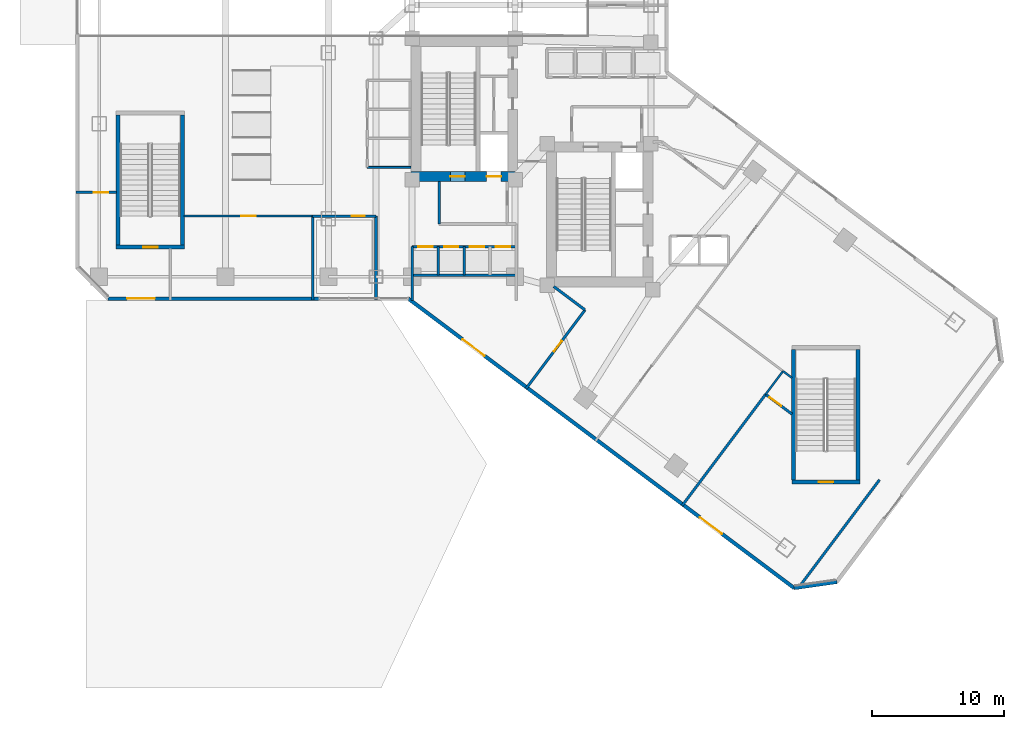
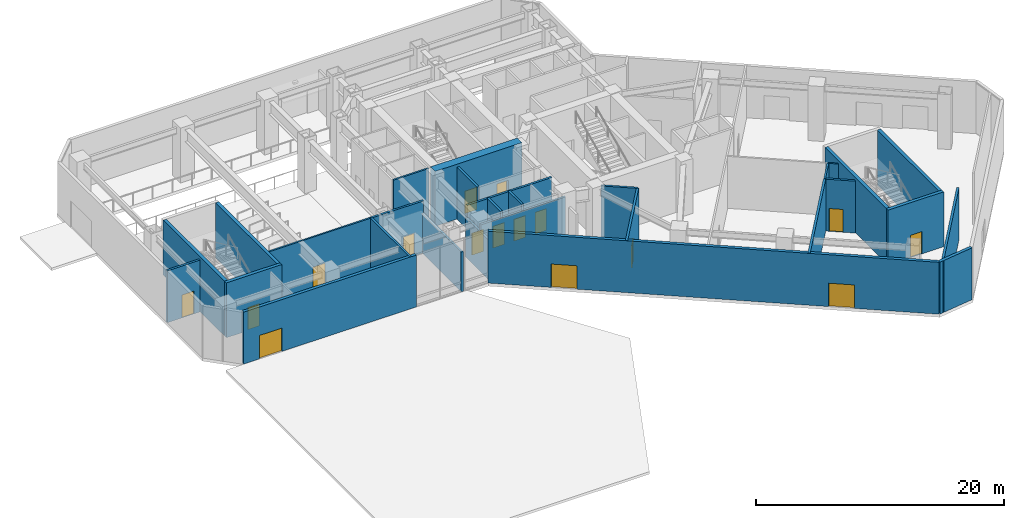
# One storey, part 4 of 13: 29 walls, 16 doors, 16 openings.
"""IFC4 building model written with IfcOpenShell, lengths in metres."""

from ifc_helpers import new_model, si_unit, direction, frame, frame_2d, origin, place, context, subcontext, project, spatial, rectangle, extrude, material, layer, layer_set, type_object, element, fill, save


model = new_model("IFC4")

# Units and contexts
model_context = context("Model", 3, precision=1e-05, world=origin(), true_north=direction((0.0, 1.0)))
body_context = subcontext(model_context, "Body", "Model", "MODEL_VIEW")
ifc_project = project(units=[si_unit("LENGTHUNIT", "METRE"), si_unit("AREAUNIT", "SQUARE_METRE"), si_unit("VOLUMEUNIT", "CUBIC_METRE"), si_unit("PLANEANGLEUNIT", "RADIAN"), si_unit("MASSUNIT", "GRAM", prefix="KILO")], contexts=[model_context])

# Site, building, storey
site_placement = place(None, origin())
site = spatial("IfcSite", under=ifc_project, at=site_placement, CompositionType="ELEMENT")
building_placement = place(site_placement, origin())
building = spatial("IfcBuilding", under=site, at=building_placement, Name="Hatsunagi Terrace Concourse", CompositionType="ELEMENT")
storey_placement = place(building_placement, origin())
storey = spatial("IfcBuildingStorey", under=building, at=storey_placement, Name="L01", CompositionType="ELEMENT", Elevation=0.0)

# Wall, openings, doors
ifc_material_1 = material(Name="Concrete Fc60", Category="concrete")
ifc_layer_1 = layer(ifc_material_1, 0.75)
ifc_layer_set_1 = layer_set([ifc_layer_1], Name="CoreShearWall_Fc60_750")
wall_type_1 = type_object("IfcWallType", Name="CoreShearWall_Fc60_750", PredefinedType="SHEAR", material=ifc_layer_set_1)
wall_1_placement = place(storey_placement, frame((25.469970703125, 32.81494140625, 0.0), z_axis=(0.0, 0.0, 1.0), x_axis=(1.0, 0.0, 0.0)))
wall_1 = element("IfcWall", 1, at=wall_1_placement, inside=storey, type_object=wall_type_1, Name="Core A Shear Wall S L01", PredefinedType="SHEAR", context=body_context, shape_type="SweptSolid", body=[
    extrude(rectangle(XDim=8.080078125, YDim=0.75, at=frame_2d((4.0400390625, 0.0))), origin(), (0.0, 0.0, 1.0), 5.39990234375),
])
opening_1_placement = place(wall_1_placement, frame((2.97998046875, 0.0, 0.0)))
opening_1 = element("IfcOpeningElement", 2, at=opening_1_placement, cuts=wall_1, Name="Opening DR-110S", PredefinedType="OPENING", context=body_context, shape_type="SweptSolid", body=[
    extrude(rectangle(XDim=1.10009765625, YDim=2.199951171875, at=frame_2d((0.550048828125, 1.10009765625))), frame((0.0, 0.385009765625, 0.0), z_axis=(0.0, -1.0, 0.0), x_axis=(1.0, 0.0, 0.0)), (0.0, 0.0, 1.0), 0.77001953125),
])
opening_2_placement = place(wall_1_placement, frame((5.72998046875, 0.0, 0.0)))
opening_2 = element("IfcOpeningElement", 3, at=opening_2_placement, cuts=wall_1, Name="Opening LD-01", PredefinedType="OPENING", context=body_context, shape_type="SweptSolid", body=[
    extrude(rectangle(XDim=1.10009765625, YDim=2.14990234375, at=frame_2d((0.550048828125, 1.074951171875))), frame((0.0, 0.385009765625, 0.0), z_axis=(0.0, -1.0, 0.0), x_axis=(1.0, 0.0, 0.0)), (0.0, 0.0, 1.0), 0.77001953125),
])
ifc_material_2 = material(Name="Stainless steel", Category="steel")
door_type_1 = type_object("IfcDoorType", Name="LiftLandingDoor_LD01", OperationType="SLIDING_TO_LEFT", PredefinedType="USERDEFINED", material=ifc_material_2)
door_1_placement = place(opening_2_placement, origin())
door_1 = element("IfcDoor", 4, at=door_1_placement, inside=storey, type_object=door_type_1, Name="Lift landing door FF-01 L01", ObjectType="SLIDING_LANDING_DOOR", OperationType="SLIDING_TO_LEFT", OverallHeight=2.14990234375, OverallWidth=1.10009765625, PredefinedType="USERDEFINED", context=body_context, shape_type="SweptSolid", body=[
    extrude(rectangle(XDim=1.10009765625, YDim=2.14990234375, at=frame_2d((0.550048828125, 1.074951171875))), frame((0.0, 0.02490234375, 0.0), z_axis=(0.0, -1.0, 0.0), x_axis=(1.0, 0.0, 0.0)), (0.0, 0.0, 1.0), 0.050048828125),
])
fill(opening_2, door_1)
ifc_material_3 = material(Name="Painted steel", Category="steel")
door_type_2 = type_object("IfcDoorType", Name="StairFireDoor_EI60_1100", OperationType="NOTDEFINED", PredefinedType="DOOR", material=ifc_material_3)
door_2_placement = place(opening_1_placement, origin())
door_2 = element("IfcDoor", 5, at=door_2_placement, inside=storey, type_object=door_type_2, Name="Stair ST-A Exit Door L01", OperationType="SINGLE_SWING_LEFT", OverallHeight=2.199951171875, OverallWidth=1.10009765625, PredefinedType="DOOR", context=body_context, shape_type="SweptSolid", body=[
    extrude(rectangle(XDim=1.10009765625, YDim=2.199951171875, at=frame_2d((0.550048828125, 1.10009765625))), frame((0.0, 0.02490234375, 0.0), z_axis=(0.0, -1.0, 0.0), x_axis=(1.0, 0.0, 0.0)), (0.0, 0.0, 1.0), 0.050048828125),
])
fill(opening_1, door_2)

# Wall, opening, door
ifc_material_4 = material(Name="Concrete Fc48", Category="concrete")
ifc_layer_2 = layer(ifc_material_4, 0.300048828125)
ifc_layer_set_2 = layer_set([ifc_layer_2], Name="CoreStairDivider_Fc48_300")
wall_type_2 = type_object("IfcWallType", Name="CoreStairDivider_Fc48_300", PredefinedType="SHEAR", material=ifc_layer_set_2)
wall_2_placement = place(storey_placement, frame((3.090087890625, 27.43994140625, 0.0), z_axis=(0.0, 0.0, 1.0), x_axis=(1.0, 0.0, 0.0)))
wall_2 = element("IfcWall", 6, at=wall_2_placement, inside=storey, type_object=wall_type_2, Name="Podium Stair P1 Shear Wall S L01", PredefinedType="SHEAR", context=body_context, shape_type="SweptSolid", body=[
    extrude(rectangle(XDim=5.169921875, YDim=0.300048828125, at=frame_2d((2.5849609375, 0.0))), origin(), (0.0, 0.0, 1.0), 5.39990234375),
])
opening_3_placement = place(wall_2_placement, frame((2.06005859375, 0.0, 0.0)))
opening_3 = element("IfcOpeningElement", 7, at=opening_3_placement, cuts=wall_2, Name="Opening DR-110S", PredefinedType="OPENING", context=body_context, shape_type="SweptSolid", body=[
    extrude(rectangle(XDim=1.10009765625, YDim=2.199951171875, at=frame_2d((0.550048828125, 1.10009765625))), frame((0.0, 0.159912109375, 0.0), z_axis=(0.0, -1.0, 0.0), x_axis=(1.0, 0.0, 0.0)), (0.0, 0.0, 1.0), 0.320068359375),
])
door_3_placement = place(opening_3_placement, origin())
door_3 = element("IfcDoor", 8, at=door_3_placement, inside=storey, type_object=door_type_2, Name="Stair ST-P1 Exit Door L01", OperationType="SINGLE_SWING_LEFT", OverallHeight=2.199951171875, OverallWidth=1.10009765625, PredefinedType="DOOR", context=body_context, shape_type="SweptSolid", body=[
    extrude(rectangle(XDim=1.10009765625, YDim=2.199951171875, at=frame_2d((0.550048828125, 1.10009765625))), frame((0.0, 0.02490234375, 0.0), z_axis=(0.0, -1.0, 0.0), x_axis=(1.0, 0.0, 0.0)), (0.0, 0.0, 1.0), 0.050048828125),
])
fill(opening_3, door_3)

# Walls
for number, where, z_axis, x_axis, name in (
    (9, (3.239990234375, 27.590087890625, 0.0), (0.0, 0.0, 1.0), (0.0, 1.0, 0.0), "Podium Stair P1 Shear Wall W L01"),
    (10, (8.110107421875, 27.590087890625, 0.0), (0.0, 0.0, 1.0), (0.0, 1.0, 0.0), "Podium Stair P1 Shear Wall E L01"),
):
    element("IfcWall", number, at=place(storey_placement, frame(where, z_axis=z_axis, x_axis=x_axis)), inside=storey, type_object=wall_type_2, Name=name, PredefinedType="SHEAR", context=body_context, shape_type="SweptSolid", body=[
        extrude(rectangle(XDim=9.8798828125, YDim=0.300048828125, at=frame_2d((4.93994140625, 0.0))), origin(), (0.0, 0.0, 1.0), 5.39990234375),
    ])

# Wall, opening, door
wall_3_placement = place(storey_placement, frame((54.340087890625, 9.639892578125, 0.0), z_axis=(0.0, 0.0, 1.0), x_axis=(1.0, 0.0, 0.0)))
wall_3 = element("IfcWall", 11, at=wall_3_placement, inside=storey, type_object=wall_type_2, Name="Podium Stair P2 Shear Wall S L01", PredefinedType="SHEAR", context=body_context, shape_type="SweptSolid", body=[
    extrude(rectangle(XDim=5.169921875, YDim=0.300048828125, at=frame_2d((2.5849609375, 0.0))), origin(), (0.0, 0.0, 1.0), 5.39990234375),
])
opening_4_placement = place(wall_3_placement, frame((2.06005859375, 0.0, 0.0)))
opening_4 = element("IfcOpeningElement", 12, at=opening_4_placement, cuts=wall_3, Name="Opening DR-110S", PredefinedType="OPENING", context=body_context, shape_type="SweptSolid", body=[
    extrude(rectangle(XDim=1.10009765625, YDim=2.199951171875, at=frame_2d((0.550048828125, 1.10009765625))), frame((0.0, 0.159912109375, 0.0), z_axis=(0.0, -1.0, 0.0), x_axis=(1.0, 0.0, 0.0)), (0.0, 0.0, 1.0), 0.320068359375),
])
door_4_placement = place(opening_4_placement, origin())
door_4 = element("IfcDoor", 13, at=door_4_placement, inside=storey, type_object=door_type_2, Name="Stair ST-P2 Exit Door L01", OperationType="SINGLE_SWING_RIGHT", OverallHeight=2.199951171875, OverallWidth=1.10009765625, PredefinedType="DOOR", context=body_context, shape_type="SweptSolid", body=[
    extrude(rectangle(XDim=1.10009765625, YDim=2.199951171875, at=frame_2d((0.550048828125, 1.10009765625))), frame((0.0, 0.02490234375, 0.0), z_axis=(0.0, -1.0, 0.0), x_axis=(1.0, 0.0, 0.0)), (0.0, 0.0, 1.0), 0.050048828125),
])
fill(opening_4, door_4)

# Walls
for number, where, z_axis, x_axis, name in (
    (14, (54.489990234375, 9.7900390625, 0.0), (0.0, 0.0, 1.0), (0.0, 1.0, 0.0), "Podium Stair P2 Shear Wall W L01"),
    (15, (59.360107421875, 9.7900390625, 0.0), (0.0, 0.0, 1.0), (0.0, 1.0, 0.0), "Podium Stair P2 Shear Wall E L01"),
):
    element("IfcWall", number, at=place(storey_placement, frame(where, z_axis=z_axis, x_axis=x_axis)), inside=storey, type_object=wall_type_2, Name=name, PredefinedType="SHEAR", context=body_context, shape_type="SweptSolid", body=[
        extrude(rectangle(XDim=9.8798828125, YDim=0.300048828125, at=frame_2d((4.93994140625, 0.0))), origin(), (0.0, 0.0, 1.0), 5.39990234375),
    ])
ifc_material_5 = material(Name="Acoustic mineral board", Category="gypsum")
ifc_layer_3 = layer(ifc_material_5, 0.14990234375)
ifc_layer_set_3 = layer_set([ifc_layer_3], Name="PartitionWall_EI60_150")
wall_type_3 = type_object("IfcWallType", Name="PartitionWall_EI60_150", PredefinedType="PARTITIONING", material=ifc_layer_set_3)
wall_4_placement = place(storey_placement, frame((22.14990234375, 33.5, 0.0), z_axis=(0.0, 0.0, 1.0), x_axis=(1.0, 0.0, 0.0)))
element("IfcWall", 16, at=wall_4_placement, inside=storey, type_object=wall_type_3, Name="Interior Partition IW-L01-030", PredefinedType="PARTITIONING", context=body_context, shape_type="SweptSolid", body=[
    extrude(rectangle(XDim=3.300048828125, YDim=0.14990234375, at=frame_2d((1.64990234375, 0.0))), origin(), (0.0, 0.0, 1.0), 5.10009765625),
])

# Wall, opening, door
wall_5_placement = place(storey_placement, frame((8.239990234375, 29.800048828125, 0.0), z_axis=(0.0, 0.0, 1.0), x_axis=(1.0, 0.0, 0.0)))
wall_5 = element("IfcWall", 17, at=wall_5_placement, inside=storey, type_object=wall_type_3, Name="Interior Partition IW-L01-041", PredefinedType="PARTITIONING", context=body_context, shape_type="SweptSolid", body=[
    extrude(rectangle(XDim=9.760009765625, YDim=0.14990234375, at=frame_2d((4.8798828125, 0.0))), origin(), (0.0, 0.0, 1.0), 5.10009765625),
])
opening_5_placement = place(wall_5_placement, frame((4.330078125, 0.0, 0.0)))
opening_5 = element("IfcOpeningElement", 18, at=opening_5_placement, cuts=wall_5, Name="Opening DR-110W", PredefinedType="OPENING", context=body_context, shape_type="SweptSolid", body=[
    extrude(rectangle(XDim=1.10009765625, YDim=2.159912109375, at=frame_2d((0.550048828125, 1.080078125))), frame((0.0, 0.0849609375, 0.0), z_axis=(0.0, -1.0, 0.0), x_axis=(1.0, 0.0, 0.0)), (0.0, 0.0, 1.0), 0.169921875),
])
ifc_material_6 = material(Name="Hardwood timber", Category="wood")
door_type_3 = type_object("IfcDoorType", Name="SuiteWideDoor_EI30_1100", OperationType="NOTDEFINED", PredefinedType="DOOR", material=ifc_material_6)
door_5_placement = place(opening_5_placement, origin())
door_5 = element("IfcDoor", 19, at=door_5_placement, inside=storey, type_object=door_type_3, Name="Retail Gallery L01-RET1 Door", OperationType="SINGLE_SWING_LEFT", OverallHeight=2.159912109375, OverallWidth=1.10009765625, PredefinedType="DOOR", context=body_context, shape_type="SweptSolid", body=[
    extrude(rectangle(XDim=1.10009765625, YDim=2.159912109375, at=frame_2d((0.550048828125, 1.080078125))), frame((0.0, 0.02490234375, 0.0), z_axis=(0.0, -1.0, 0.0), x_axis=(1.0, 0.0, 0.0)), (0.0, 0.0, 1.0), 0.050048828125),
])
fill(opening_5, door_5)

# Walls
wall_6_placement = place(storey_placement, frame((52.360107421875, 16.280029296875, 0.0), z_axis=(0.0, 0.0, 1.0), x_axis=(0.59994672926, 0.800039950284, 0.0)))
element("IfcWall", 20, at=wall_6_placement, inside=storey, type_object=wall_type_3, Name="Interior Partition IW-L01-058", PredefinedType="PARTITIONING", context=body_context, shape_type="SweptSolid", body=[
    extrude(rectangle(XDim=2.199951171875, YDim=0.14990234375, at=frame_2d((1.10009765625, 0.0))), origin(), (0.0, 0.0, 1.0), 5.10009765625),
])
wall_7_placement = place(storey_placement, frame((53.679931640625, 18.0400390625, 0.0), z_axis=(0.0, 0.0, 1.0), x_axis=(0.800068916667, -0.599908100114, 0.0)))
element("IfcWall", 21, at=wall_7_placement, inside=storey, type_object=wall_type_3, Name="Interior Partition IW-L01-059", PredefinedType="PARTITIONING", context=body_context, shape_type="SweptSolid", body=[
    extrude(rectangle(XDim=0.85009765625, YDim=0.14990234375, at=frame_2d((0.425048828125, 0.0))), origin(), (0.0, 0.0, 1.0), 5.10009765625),
])
ifc_material_7 = material(Name="Acoustic mineral board", Category="gypsum")
ifc_layer_4 = layer(ifc_material_7, 0.199951171875)
ifc_layer_set_4 = layer_set([ifc_layer_4], Name="ShaftWall_EI120_200")
wall_type_4 = type_object("IfcWallType", Name="ShaftWall_EI120_200", PredefinedType="STANDARD", material=ifc_layer_set_4)
wall_8_placement = place(storey_placement, frame((27.60009765625, 29.199951171875, 0.0), z_axis=(0.0, 0.0, 1.0), x_axis=(0.0, 1.0, 0.0)))
element("IfcWall", 22, at=wall_8_placement, inside=storey, type_object=wall_type_4, Name="Interior Partition IW-L01-007", PredefinedType="STANDARD", context=body_context, shape_type="SweptSolid", body=[
    extrude(rectangle(XDim=3.239990234375, YDim=0.199951171875, at=frame_2d((1.6201171875, 0.0))), origin(), (0.0, 0.0, 1.0), 5.10009765625),
])
wall_9_placement = place(storey_placement, frame((25.550048828125, 23.39990234375, 0.0), z_axis=(0.0, 0.0, 1.0), x_axis=(0.0, 1.0, 0.0)))
element("IfcWall", 23, at=wall_9_placement, inside=storey, type_object=wall_type_4, Name="Interior Partition IW-L01-012", PredefinedType="STANDARD", context=body_context, shape_type="SweptSolid", body=[
    extrude(rectangle(XDim=4.080078125, YDim=0.199951171875, at=frame_2d((2.0400390625, 0.0))), origin(), (0.0, 0.0, 1.0), 3.89501953125),
])
wall_10_placement = place(storey_placement, frame((25.550048828125, 25.320068359375, 0.0), z_axis=(0.0, 0.0, 1.0), x_axis=(1.0, 0.0, 0.0)))
element("IfcWall", 24, at=wall_10_placement, inside=storey, type_object=wall_type_4, Name="Interior Partition IW-L01-014", PredefinedType="STANDARD", context=body_context, shape_type="SweptSolid", body=[
    extrude(rectangle(XDim=7.8798828125, YDim=0.199951171875, at=frame_2d((3.93994140625, 0.0))), origin(), (0.0, 0.0, 1.0), 4.4951171875),
])
for number, where, z_axis, x_axis, name in (
    (25, (27.530029296875, 25.320068359375, 0.0), (0.0, 0.0, 1.0), (0.0, 1.0, 0.0), "Interior Partition IW-L01-015"),
    (26, (29.489990234375, 25.320068359375, 0.0), (0.0, 0.0, 1.0), (0.0, 1.0, 0.0), "Interior Partition IW-L01-016"),
):
    element("IfcWall", number, at=place(storey_placement, frame(where, z_axis=z_axis, x_axis=x_axis)), inside=storey, type_object=wall_type_4, Name=name, PredefinedType="STANDARD", context=body_context, shape_type="SweptSolid", body=[
        extrude(rectangle(XDim=2.159912109375, YDim=0.199951171875, at=frame_2d((1.080078125, 0.0))), origin(), (0.0, 0.0, 1.0), 5.10009765625),
    ])

# Wall, openings, doors
wall_11_placement = place(storey_placement, frame((25.550048828125, 27.47998046875, 0.0), z_axis=(0.0, 0.0, 1.0), x_axis=(1.0, 0.0, 0.0)))
wall_11 = element("IfcWall", 27, at=wall_11_placement, inside=storey, type_object=wall_type_4, Name="Interior Partition IW-L01-018", PredefinedType="STANDARD", context=body_context, shape_type="SweptSolid", body=[
    extrude(rectangle(XDim=7.8798828125, YDim=0.199951171875, at=frame_2d((3.93994140625, 0.0))), origin(), (0.0, 0.0, 1.0), 5.10009765625),
])
opening_6_placement = place(wall_11_placement, frame((0.4599609375, 0.0, 0.0)))
opening_6 = element("IfcOpeningElement", 28, at=opening_6_placement, cuts=wall_11, Name="Opening LD-03", PredefinedType="OPENING", context=body_context, shape_type="SweptSolid", body=[
    extrude(rectangle(XDim=1.080078125, YDim=2.14990234375, at=frame_2d((0.5400390625, 1.074951171875))), frame((0.0, 0.10986328125, 0.0), z_axis=(0.0, -1.0, 0.0), x_axis=(1.0, 0.0, 0.0)), (0.0, 0.0, 1.0), 0.219970703125),
])
opening_7_placement = place(wall_11_placement, frame((2.419921875, 0.0, 0.0)))
opening_7 = element("IfcOpeningElement", 29, at=opening_7_placement, cuts=wall_11, Name="Opening LD-03", PredefinedType="OPENING", context=body_context, shape_type="SweptSolid", body=[
    extrude(rectangle(XDim=1.080078125, YDim=2.14990234375, at=frame_2d((0.5400390625, 1.074951171875))), frame((0.0, 0.10986328125, 0.0), z_axis=(0.0, -1.0, 0.0), x_axis=(1.0, 0.0, 0.0)), (0.0, 0.0, 1.0), 0.219970703125),
])
opening_8_placement = place(wall_11_placement, frame((4.3798828125, 0.0, 0.0)))
opening_8 = element("IfcOpeningElement", 30, at=opening_8_placement, cuts=wall_11, Name="Opening LD-03", PredefinedType="OPENING", context=body_context, shape_type="SweptSolid", body=[
    extrude(rectangle(XDim=1.080078125, YDim=2.14990234375, at=frame_2d((0.5400390625, 1.074951171875))), frame((0.0, 0.10986328125, 0.0), z_axis=(0.0, -1.0, 0.0), x_axis=(1.0, 0.0, 0.0)), (0.0, 0.0, 1.0), 0.219970703125),
])
opening_9_placement = place(wall_11_placement, frame((6.340087890625, 0.0, 0.0)))
opening_9 = element("IfcOpeningElement", 31, at=opening_9_placement, cuts=wall_11, Name="Opening LD-03", PredefinedType="OPENING", context=body_context, shape_type="SweptSolid", body=[
    extrude(rectangle(XDim=1.080078125, YDim=2.14990234375, at=frame_2d((0.5400390625, 1.074951171875))), frame((0.0, 0.10986328125, 0.0), z_axis=(0.0, -1.0, 0.0), x_axis=(1.0, 0.0, 0.0)), (0.0, 0.0, 1.0), 0.219970703125),
])
ifc_material_8 = material(Name="Stainless steel", Category="steel")
door_type_4 = type_object("IfcDoorType", Name="LiftLandingDoor_LD03", OperationType="SLIDING_TO_LEFT", PredefinedType="USERDEFINED", material=ifc_material_8)
door_6_placement = place(opening_6_placement, origin())
door_6 = element("IfcDoor", 32, at=door_6_placement, inside=storey, type_object=door_type_4, Name="Lift landing door PL-01 L01", ObjectType="SLIDING_LANDING_DOOR", OperationType="SLIDING_TO_LEFT", OverallHeight=2.14990234375, OverallWidth=1.080078125, PredefinedType="USERDEFINED", context=body_context, shape_type="SweptSolid", body=[
    extrude(rectangle(XDim=1.080078125, YDim=2.14990234375, at=frame_2d((0.5400390625, 1.074951171875))), frame((0.0, 0.02490234375, 0.0), z_axis=(0.0, -1.0, 0.0), x_axis=(1.0, 0.0, 0.0)), (0.0, 0.0, 1.0), 0.050048828125),
])
fill(opening_6, door_6)
door_7_placement = place(opening_7_placement, origin())
door_7 = element("IfcDoor", 33, at=door_7_placement, inside=storey, type_object=door_type_4, Name="Lift landing door PL-02 L01", ObjectType="SLIDING_LANDING_DOOR", OperationType="SLIDING_TO_LEFT", OverallHeight=2.14990234375, OverallWidth=1.080078125, PredefinedType="USERDEFINED", context=body_context, shape_type="SweptSolid", body=[
    extrude(rectangle(XDim=1.080078125, YDim=2.14990234375, at=frame_2d((0.5400390625, 1.074951171875))), frame((0.0, 0.02490234375, 0.0), z_axis=(0.0, -1.0, 0.0), x_axis=(1.0, 0.0, 0.0)), (0.0, 0.0, 1.0), 0.050048828125),
])
fill(opening_7, door_7)
door_8_placement = place(opening_8_placement, origin())
door_8 = element("IfcDoor", 34, at=door_8_placement, inside=storey, type_object=door_type_4, Name="Lift landing door PL-03 L01", ObjectType="SLIDING_LANDING_DOOR", OperationType="SLIDING_TO_LEFT", OverallHeight=2.14990234375, OverallWidth=1.080078125, PredefinedType="USERDEFINED", context=body_context, shape_type="SweptSolid", body=[
    extrude(rectangle(XDim=1.080078125, YDim=2.14990234375, at=frame_2d((0.5400390625, 1.074951171875))), frame((0.0, 0.02490234375, 0.0), z_axis=(0.0, -1.0, 0.0), x_axis=(1.0, 0.0, 0.0)), (0.0, 0.0, 1.0), 0.050048828125),
])
fill(opening_8, door_8)
door_9_placement = place(opening_9_placement, origin())
door_9 = element("IfcDoor", 35, at=door_9_placement, inside=storey, type_object=door_type_4, Name="Lift landing door PL-04 L01", ObjectType="SLIDING_LANDING_DOOR", OperationType="SLIDING_TO_LEFT", OverallHeight=2.14990234375, OverallWidth=1.080078125, PredefinedType="USERDEFINED", context=body_context, shape_type="SweptSolid", body=[
    extrude(rectangle(XDim=1.080078125, YDim=2.14990234375, at=frame_2d((0.5400390625, 1.074951171875))), frame((0.0, 0.02490234375, 0.0), z_axis=(0.0, -1.0, 0.0), x_axis=(1.0, 0.0, 0.0)), (0.0, 0.0, 1.0), 0.050048828125),
])
fill(opening_9, door_9)

# Wall, opening, door
wall_12_placement = place(storey_placement, frame((18.0, 29.800048828125, 0.0), z_axis=(0.0, 0.0, 1.0), x_axis=(1.0, 0.0, 0.0)))
wall_12 = element("IfcWall", 36, at=wall_12_placement, inside=storey, type_object=wall_type_4, Name="Interior Partition IW-L01-038", PredefinedType="STANDARD", context=body_context, shape_type="SweptSolid", body=[
    extrude(rectangle(XDim=4.800048828125, YDim=0.199951171875, at=frame_2d((2.39990234375, 0.0))), origin(), (0.0, 0.0, 1.0), 5.10009765625),
])
opening_10_placement = place(wall_12_placement, frame((2.964111328125, 0.0, 0.0)))
opening_10 = element("IfcOpeningElement", 37, at=opening_10_placement, cuts=wall_12, Name="Opening DR-100F", PredefinedType="OPENING", context=body_context, shape_type="SweptSolid", body=[
    extrude(rectangle(XDim=1.0, YDim=2.199951171875, at=frame_2d((0.5, 1.10009765625))), frame((0.0, 0.10986328125, 0.0), z_axis=(0.0, -1.0, 0.0), x_axis=(1.0, 0.0, 0.0)), (0.0, 0.0, 1.0), 0.219970703125),
])
ifc_material_9 = material(Name="Painted steel", Category="steel")
door_type_5 = type_object("IfcDoorType", Name="FireDoor_EI60_1000", OperationType="NOTDEFINED", PredefinedType="DOOR", material=ifc_material_9)
door_10_placement = place(opening_10_placement, origin())
door_10 = element("IfcDoor", 38, at=door_10_placement, inside=storey, type_object=door_type_5, Name="Bosai Fire Command Room L01-BOSAI Door", OperationType="SINGLE_SWING_LEFT", OverallHeight=2.199951171875, OverallWidth=1.0, PredefinedType="DOOR", context=body_context, shape_type="SweptSolid", body=[
    extrude(rectangle(XDim=1.0, YDim=2.199951171875, at=frame_2d((0.5, 1.10009765625))), frame((0.0, 0.02490234375, 0.0), z_axis=(0.0, -1.0, 0.0), x_axis=(1.0, 0.0, 0.0)), (0.0, 0.0, 1.0), 0.050048828125),
])
fill(opening_10, door_10)

# Walls
wall_13_placement = place(storey_placement, frame((18.0, 23.43994140625, 0.0), z_axis=(0.0, 0.0, 1.0), x_axis=(0.0, 1.0, 0.0)))
element("IfcWall", 39, at=wall_13_placement, inside=storey, type_object=wall_type_4, Name="Interior Partition IW-L01-039", PredefinedType="STANDARD", context=body_context, shape_type="SweptSolid", body=[
    extrude(rectangle(XDim=6.360107421875, YDim=0.199951171875, at=frame_2d((3.18017578125, 0.0))), origin(), (0.0, 0.0, 1.0), 5.10009765625),
])
wall_14_placement = place(storey_placement, frame((22.800048828125, 23.43994140625, 0.0), z_axis=(0.0, 0.0, 1.0), x_axis=(0.0, 1.0, 0.0)))
element("IfcWall", 40, at=wall_14_placement, inside=storey, type_object=wall_type_4, Name="Interior Partition IW-L01-040", PredefinedType="STANDARD", context=body_context, shape_type="SweptSolid", body=[
    extrude(rectangle(XDim=6.360107421875, YDim=0.199951171875, at=frame_2d((3.18017578125, 0.0))), origin(), (0.0, 0.0, 1.0), 3.89501953125),
])

# Wall, opening, door
wall_15_placement = place(storey_placement, frame((0.0400390625, 31.60009765625, 0.0), z_axis=(0.0, 0.0, 1.0), x_axis=(1.0, 0.0, 0.0)))
wall_15 = element("IfcWall", 41, at=wall_15_placement, inside=storey, type_object=wall_type_4, Name="Interior Partition IW-L01-043", PredefinedType="STANDARD", context=body_context, shape_type="SweptSolid", body=[
    extrude(rectangle(XDim=3.070068359375, YDim=0.199951171875, at=frame_2d((1.53515625, 0.0))), origin(), (0.0, 0.0, 1.0), 5.10009765625),
])
opening_11_placement = place(wall_15_placement, frame((1.347900390625, 0.0, 0.0)))
opening_11 = element("IfcOpeningElement", 42, at=opening_11_placement, cuts=wall_15, Name="Opening DR-110F", PredefinedType="OPENING", context=body_context, shape_type="SweptSolid", body=[
    extrude(rectangle(XDim=1.10009765625, YDim=2.239990234375, at=frame_2d((0.550048828125, 1.1201171875))), frame((0.0, 0.10986328125, 0.0), z_axis=(0.0, -1.0, 0.0), x_axis=(1.0, 0.0, 0.0)), (0.0, 0.0, 1.0), 0.219970703125),
])
ifc_material_10 = material(Name="Painted steel", Category="steel")
door_type_6 = type_object("IfcDoorType", Name="FireDoor_EI60_1100", OperationType="NOTDEFINED", PredefinedType="DOOR", material=ifc_material_10)
door_11_placement = place(opening_11_placement, origin())
door_11 = element("IfcDoor", 43, at=door_11_placement, inside=storey, type_object=door_type_6, Name="Exit Passageway L01-EXP1 Door", OperationType="SINGLE_SWING_RIGHT", OverallHeight=2.239990234375, OverallWidth=1.10009765625, PredefinedType="DOOR", context=body_context, shape_type="SweptSolid", body=[
    extrude(rectangle(XDim=1.10009765625, YDim=2.239990234375, at=frame_2d((0.550048828125, 1.1201171875))), frame((0.0, 0.02490234375, 0.0), z_axis=(0.0, -1.0, 0.0), x_axis=(1.0, 0.0, 0.0)), (0.0, 0.0, 1.0), 0.050048828125),
])
fill(opening_11, door_11)

wall_16_placement = place(storey_placement, frame((52.360107421875, 16.280029296875, 0.0), z_axis=(0.0, 0.0, 1.0), x_axis=(0.8, -0.6, 0.0)))
wall_16 = element("IfcWall", 44, at=wall_16_placement, inside=storey, type_object=wall_type_4, Name="Interior Partition IW-L01-044", PredefinedType="STANDARD", context=body_context, shape_type="SweptSolid", body=[
    extrude(rectangle(XDim=2.5, YDim=0.199951171875, at=frame_2d((1.25, 0.0))), origin(), (0.0, 0.0, 1.0), 5.10009765625),
])
opening_12_placement = place(wall_16_placement, frame((0.3798828125, 0.0, 0.0)))
opening_12 = element("IfcOpeningElement", 45, at=opening_12_placement, cuts=wall_16, Name="Opening DR-110F", PredefinedType="OPENING", context=body_context, shape_type="SweptSolid", body=[
    extrude(rectangle(XDim=1.10009765625, YDim=2.239990234375, at=frame_2d((0.550048828125, 1.1201171875))), frame((0.0, 0.10986328125, 0.0), z_axis=(0.0, -1.0, 0.0), x_axis=(1.0, 0.0, 0.0)), (0.0, 0.0, 1.0), 0.219970703125),
])
door_12_placement = place(opening_12_placement, origin())
door_12 = element("IfcDoor", 46, at=door_12_placement, inside=storey, type_object=door_type_6, Name="Exit Passageway L01-EXP2 Door", OperationType="SINGLE_SWING_LEFT", OverallHeight=2.239990234375, OverallWidth=1.10009765625, PredefinedType="DOOR", context=body_context, shape_type="SweptSolid", body=[
    extrude(rectangle(XDim=1.10009765625, YDim=2.239990234375, at=frame_2d((0.550048828125, 1.1201171875))), frame((0.0, 0.02490234375, 0.0), z_axis=(0.0, -1.0, 0.0), x_axis=(1.0, 0.0, 0.0)), (0.0, 0.0, 1.0), 0.050048828125),
])
fill(opening_12, door_12)

# Walls
wall_17_placement = place(storey_placement, frame((46.02392578125, 7.83203125, 0.0), z_axis=(0.0, 0.0, 1.0), x_axis=(0.600011097131, 0.799991677032, 0.0)))
element("IfcWall", 47, at=wall_17_placement, inside=storey, type_object=wall_type_4, Name="Interior Partition IW-L01-045", PredefinedType="STANDARD", context=body_context, shape_type="SweptSolid", body=[
    extrude(rectangle(XDim=10.56005859375, YDim=0.199951171875, at=frame_2d((5.280029296875, 0.0))), origin(), (0.0, 0.0, 1.0), 5.10009765625),
])
wall_18_placement = place(storey_placement, frame((54.7939453125, 1.52490234375, 0.0), z_axis=(0.0, 0.0, 1.0), x_axis=(0.599981117658, 0.800014161409, 0.0)))
element("IfcWall", 48, at=wall_18_placement, inside=storey, type_object=wall_type_4, Name="Interior Partition IW-L01-046", PredefinedType="STANDARD", context=body_context, shape_type="SweptSolid", body=[
    extrude(rectangle(XDim=10.34375, YDim=0.199951171875, at=frame_2d((5.171875, 0.0))), origin(), (0.0, 0.0, 1.0), 5.10009765625),
])
wall_19_placement = place(storey_placement, frame((36.287109375, 24.4599609375, 0.0), z_axis=(0.0, 0.0, 1.0), x_axis=(0.799930857749, -0.600092178603, 0.0)))
element("IfcWall", 49, at=wall_19_placement, inside=storey, type_object=wall_type_4, Name="Interior Partition IW-L01-049", PredefinedType="STANDARD", context=body_context, shape_type="SweptSolid", body=[
    extrude(rectangle(XDim=2.96630859375, YDim=0.199951171875, at=frame_2d((1.483154296875, 0.0))), origin(), (0.0, 0.0, 1.0), 5.10009765625),
])

# Wall, opening, door
wall_20_placement = place(storey_placement, frame((34.18408203125, 16.7119140625, 0.0), z_axis=(0.0, 0.0, 1.0), x_axis=(0.599984290919, 0.80001178157, 0.0)))
wall_20 = element("IfcWall", 50, at=wall_20_placement, inside=storey, type_object=wall_type_4, Name="Interior Partition IW-L01-050", PredefinedType="STANDARD", context=body_context, shape_type="SweptSolid", body=[
    extrude(rectangle(XDim=7.4599609375, YDim=0.199951171875, at=frame_2d((3.72998046875, 0.0))), origin(), (0.0, 0.0, 1.0), 5.10009765625),
])
opening_13_placement = place(wall_20_placement, frame((3.514892578125, 0.0, 0.0)))
opening_13 = element("IfcOpeningElement", 51, at=opening_13_placement, cuts=wall_20, Name="Opening DR-100F", PredefinedType="OPENING", context=body_context, shape_type="SweptSolid", body=[
    extrude(rectangle(XDim=1.0, YDim=2.199951171875, at=frame_2d((0.5, 1.10009765625))), frame((0.0, 0.10986328125, 0.0), z_axis=(0.0, -1.0, 0.0), x_axis=(1.0, 0.0, 0.0)), (0.0, 0.0, 1.0), 0.219970703125),
])
door_13_placement = place(opening_13_placement, origin())
door_13 = element("IfcDoor", 52, at=door_13_placement, inside=storey, type_object=door_type_5, Name="Exit Passageway EXP3 Concourse Door L01", OperationType="SINGLE_SWING_LEFT", OverallHeight=2.199951171875, OverallWidth=1.0, PredefinedType="DOOR", context=body_context, shape_type="SweptSolid", body=[
    extrude(rectangle(XDim=1.0, YDim=2.199951171875, at=frame_2d((0.5, 1.10009765625))), frame((0.0, 0.02490234375, 0.0), z_axis=(0.0, -1.0, 0.0), x_axis=(1.0, 0.0, 0.0)), (0.0, 0.0, 1.0), 0.050048828125),
])
fill(opening_13, door_13)

# Wall
ifc_material_11 = material(Name="Autoclaved Lightweight Concrete and Terracotta Cladding", Category="masonry")
ifc_layer_5 = layer(ifc_material_11, 0.280029296875)
ifc_layer_set_5 = layer_set([ifc_layer_5], Name="TerracottaSpandrelWall_280")
wall_type_5 = type_object("IfcWallType", Name="TerracottaSpandrelWall_280", PredefinedType="STANDARD", material=ifc_layer_set_5)
wall_21_placement = place(storey_placement, frame((57.762939453125, 2.050048828125, 0.0), z_axis=(0.0, 0.0, 1.0), x_axis=(-0.989967361922, -0.141296221922, 0.0)))
element("IfcWall", 53, at=wall_21_placement, inside=storey, type_object=wall_type_5, Name="Exterior Spandrel Wall EW-L01-04", PredefinedType="STANDARD", context=body_context, shape_type="SweptSolid", body=[
    extrude(rectangle(XDim=3.27783203125, YDim=0.280029296875, at=frame_2d((1.638916015625, 0.0))), origin(), (0.0, 0.0, 1.0), 5.10009765625),
])

# Wall, openings, doors
wall_22_placement = place(storey_placement, frame((54.51806640625, 1.5869140625, 0.0), z_axis=(0.0, 0.0, 1.0), x_axis=(-0.800001601415, 0.599997864774, 0.0)))
wall_22 = element("IfcWall", 54, at=wall_22_placement, inside=storey, type_object=wall_type_5, Name="Exterior Spandrel Wall EW-L01-05", PredefinedType="STANDARD", context=body_context, shape_type="SweptSolid", body=[
    extrude(rectangle(XDim=36.588623046875, YDim=0.280029296875, at=frame_2d((18.29443359375, 0.0))), origin(), (0.0, 0.0, 1.0), 5.10009765625),
])
opening_14_placement = place(wall_22_placement, frame((6.843994140625, 0.0, 0.0)))
opening_14 = element("IfcOpeningElement", 55, at=opening_14_placement, cuts=wall_22, Name="Opening EX-02", PredefinedType="OPENING", context=body_context, shape_type="SweptSolid", body=[
    extrude(rectangle(XDim=2.10009765625, YDim=2.300048828125, at=frame_2d((1.050048828125, 1.14990234375))), frame((0.0, 0.14990234375, 0.0), z_axis=(0.0, -1.0, 0.0), x_axis=(1.0, 0.0, 0.0)), (0.0, 0.0, 1.0), 0.300048828125),
])
opening_15_placement = place(wall_22_placement, frame((29.343994140625, 0.0, 0.0)))
opening_15 = element("IfcOpeningElement", 56, at=opening_15_placement, cuts=wall_22, Name="Opening EX-03", PredefinedType="OPENING", context=body_context, shape_type="SweptSolid", body=[
    extrude(rectangle(XDim=2.10009765625, YDim=2.300048828125, at=frame_2d((1.050048828125, 1.14990234375))), frame((0.0, 0.14990234375, 0.0), z_axis=(0.0, -1.0, 0.0), x_axis=(1.0, 0.0, 0.0)), (0.0, 0.0, 1.0), 0.300048828125),
])
ifc_material_12 = material(Name="Galvanised Steel and Laminated Safety Glass", Category="steel")
door_type_7 = type_object("IfcDoorType", Name="ExteriorExitDoor_EX02", OperationType="DOUBLE_SWING_LEFT", PredefinedType="DOOR", material=ifc_material_12)
door_14_placement = place(opening_14_placement, origin())
door_14 = element("IfcDoor", 57, at=door_14_placement, inside=storey, type_object=door_type_7, Name="Grade Final Exit Door EX-02 (ST-P2 Protected Exit Passageway EXP2)", OperationType="DOUBLE_SWING_LEFT", OverallHeight=2.300048828125, OverallWidth=2.10009765625, PredefinedType="DOOR", context=body_context, shape_type="SweptSolid", body=[
    extrude(rectangle(XDim=2.10009765625, YDim=2.300048828125, at=frame_2d((1.050048828125, 1.14990234375))), frame((0.0, 0.02490234375, 0.0), z_axis=(0.0, -1.0, 0.0), x_axis=(1.0, 0.0, 0.0)), (0.0, 0.0, 1.0), 0.050048828125),
])
fill(opening_14, door_14)
ifc_material_13 = material(Name="Galvanised Steel and Laminated Safety Glass", Category="steel")
door_type_8 = type_object("IfcDoorType", Name="ExteriorExitDoor_EX03", OperationType="DOUBLE_SWING_LEFT", PredefinedType="DOOR", material=ifc_material_13)
door_15_placement = place(opening_15_placement, origin())
door_15 = element("IfcDoor", 58, at=door_15_placement, inside=storey, type_object=door_type_8, Name="Grade Final Exit Door EX-03 (ST-A Protected Exit Passageway EXP3)", OperationType="DOUBLE_SWING_LEFT", OverallHeight=2.300048828125, OverallWidth=2.10009765625, PredefinedType="DOOR", context=body_context, shape_type="SweptSolid", body=[
    extrude(rectangle(XDim=2.10009765625, YDim=2.300048828125, at=frame_2d((1.050048828125, 1.14990234375))), frame((0.0, 0.02490234375, 0.0), z_axis=(0.0, -1.0, 0.0), x_axis=(1.0, 0.0, 0.0)), (0.0, 0.0, 1.0), 0.050048828125),
])
fill(opening_15, door_15)

# Wall, opening, door
wall_23_placement = place(storey_placement, frame((18.5, 23.5400390625, 0.0), z_axis=(0.0, 0.0, 1.0), x_axis=(-1.0, 0.0, 0.0)))
wall_23 = element("IfcWall", 59, at=wall_23_placement, inside=storey, type_object=wall_type_5, Name="Exterior Spandrel Wall EW-L01-07", PredefinedType="STANDARD", context=body_context, shape_type="SweptSolid", body=[
    extrude(rectangle(XDim=16.0419921875, YDim=0.280029296875, at=frame_2d((8.02099609375, 0.0))), origin(), (0.0, 0.0, 1.0), 5.10009765625),
])
opening_16_placement = place(wall_23_placement, frame((12.470947265625, 0.0, 0.0)))
opening_16 = element("IfcOpeningElement", 60, at=opening_16_placement, cuts=wall_23, Name="Opening EX-01", PredefinedType="OPENING", context=body_context, shape_type="SweptSolid", body=[
    extrude(rectangle(XDim=2.10009765625, YDim=2.300048828125, at=frame_2d((1.050048828125, 1.14990234375))), frame((0.0, 0.14990234375, 0.0), z_axis=(0.0, -1.0, 0.0), x_axis=(1.0, 0.0, 0.0)), (0.0, 0.0, 1.0), 0.300048828125),
])
ifc_material_14 = material(Name="Galvanised Steel and Laminated Safety Glass", Category="steel")
door_type_9 = type_object("IfcDoorType", Name="ExteriorExitDoor_EX01", OperationType="DOUBLE_SWING_LEFT", PredefinedType="DOOR", material=ifc_material_14)
door_16_placement = place(opening_16_placement, origin())
door_16 = element("IfcDoor", 61, at=door_16_placement, inside=storey, type_object=door_type_9, Name="Grade Final Exit Door EX-01 (ST-P1 Protected Exit Passageway EXP1)", OperationType="DOUBLE_SWING_LEFT", OverallHeight=2.300048828125, OverallWidth=2.10009765625, PredefinedType="DOOR", context=body_context, shape_type="SweptSolid", body=[
    extrude(rectangle(XDim=2.10009765625, YDim=2.300048828125, at=frame_2d((1.050048828125, 1.14990234375))), frame((0.0, 0.02490234375, 0.0), z_axis=(0.0, -1.0, 0.0), x_axis=(1.0, 0.0, 0.0)), (0.0, 0.0, 1.0), 0.050048828125),
])
fill(opening_16, door_16)

save(model, "model.ifc")
